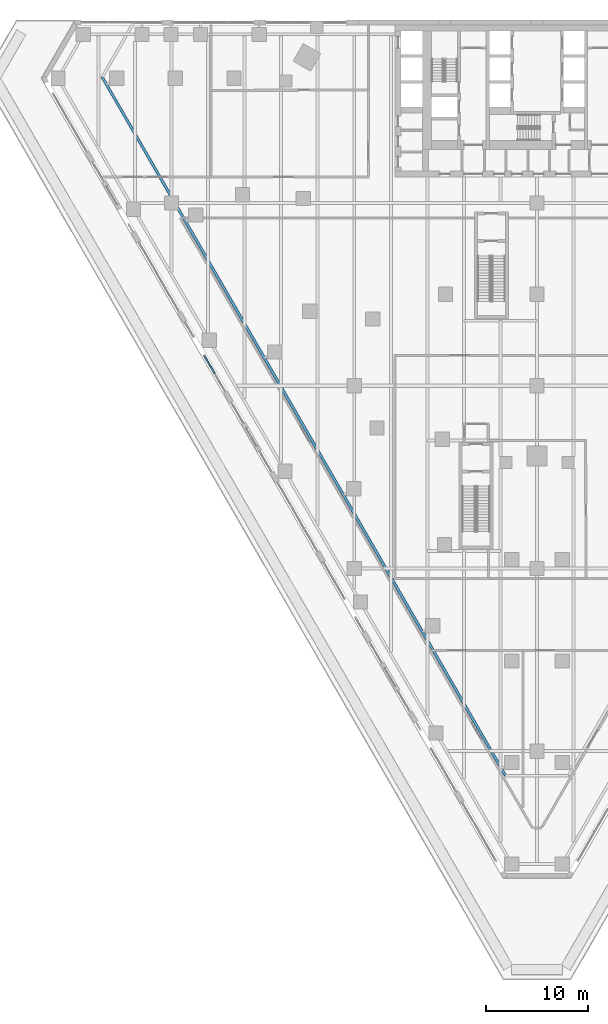
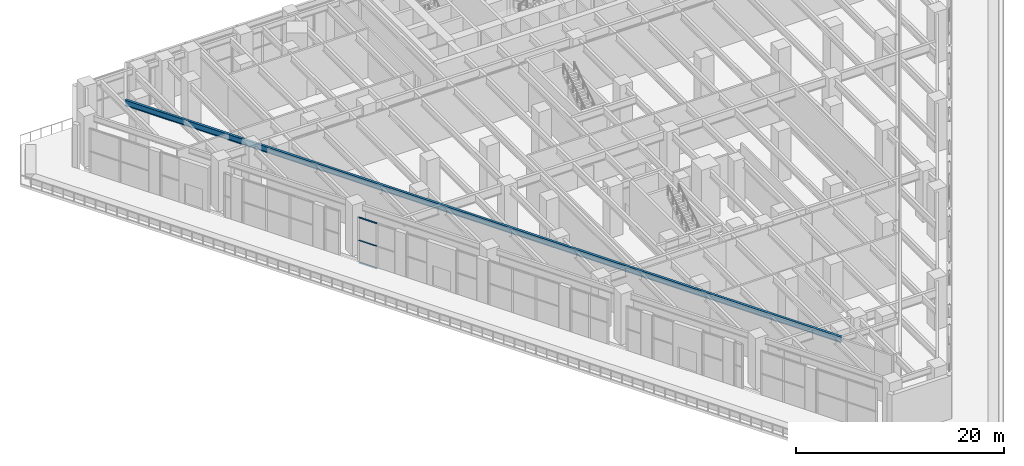
# One storey, part 5 of 40: 3 members, 1 beam, 1 element without a shape of its own.
"""IFC4 building model written with IfcOpenShell, lengths in metres."""

import ifcopenshell
import ifcopenshell.guid

model = None  # the IFC model being written
_history = None  # IfcOwnerHistory: only IFC2X3 demands one
_inside = {}  # id of a spatial element -> (the spatial element, [elements in it])
_under = {}  # id of a project, library or spatial element -> (it, [spatial elements below it])
_declared = {}  # id of a project -> (the project, [libraries it declares])
_typed = {}  # id of a type object -> (the type object, [elements of that type])
_made_of = {}  # id of a material, layer set ... -> (it, [elements and type objects made of it])


def new_model(schema):
    """Start an empty IFC model of exactly this schema.

    Asked for "IFC4X3", IfcOpenShell would pick the latest addendum, in which some entities
    have other attributes; the version numbers below select the first issue.
    IFC2X3 requires an IfcOwnerHistory on every rooted entity: one is made here for all.
    """
    global model, _history
    if schema == "IFC4X3":
        model = ifcopenshell.file(schema_version=(4, 3, 0, 0))
    else:
        model = ifcopenshell.file(schema=schema)
    _inside.clear()
    _under.clear()
    _declared.clear()
    _typed.clear()
    _made_of.clear()
    _history = None
    if model.schema == "IFC2X3":
        org = make("IfcOrganization", Name="unknown")
        user = make(
            "IfcPersonAndOrganization",
            ThePerson=make("IfcPerson", FamilyName="unknown"),
            TheOrganization=org,
        )
        app = make(
            "IfcApplication",
            ApplicationDeveloper=org,
            Version="unknown",
            ApplicationFullName="unknown",
            ApplicationIdentifier="unknown",
        )
        _history = make(
            "IfcOwnerHistory",
            OwningUser=user,
            OwningApplication=app,
            ChangeAction="ADDED",
            CreationDate=0,
        )
    return model


def make(cls, **values):
    """One entity of the class cls with the attributes given. An attribute that is None is left unset."""
    return model.create_entity(
        cls, **{name: value for name, value in values.items() if value is not None}
    )


def rooted(cls, **values):
    """An entity with a GlobalId (a new one), such as an element, a storey or a relation."""
    return make(cls, GlobalId=ifcopenshell.guid.new(), OwnerHistory=_history, **values)


def si_unit(unit_type, name, prefix=None):
    """IfcSIUnit, for example si_unit("LENGTHUNIT", "METRE", prefix="MILLI")."""
    return make("IfcSIUnit", UnitType=unit_type, Prefix=prefix, Name=name)


def assignment(units):
    """IfcUnitAssignment: the units of a project."""
    return None if units is None else make("IfcUnitAssignment", Units=units)


def point(xyz):
    """IfcCartesianPoint."""
    return None if xyz is None else make("IfcCartesianPoint", Coordinates=xyz)


def direction(xyz):
    """IfcDirection."""
    return None if xyz is None else make("IfcDirection", DirectionRatios=xyz)


def frame(location, z_axis=None, x_axis=None):
    """IfcAxis2Placement3D, a coordinate frame: its origin and axes. An axis left out is left unset."""
    return make(
        "IfcAxis2Placement3D",
        Location=point(location),
        Axis=direction(z_axis),
        RefDirection=direction(x_axis),
    )


def frame_2d(location, x_axis=None):
    """IfcAxis2Placement2D, a coordinate frame in the plane: its origin and x axis."""
    return make(
        "IfcAxis2Placement2D", Location=point(location), RefDirection=direction(x_axis)
    )


def origin():
    """The frame at (0, 0, 0) with its axes left unset."""
    return frame((0.0, 0.0, 0.0))


def origin_2d():
    """The frame at (0, 0) in the plane with its x axis left unset."""
    return frame_2d((0.0, 0.0))


def place(relative_to, where):
    """IfcLocalPlacement: puts the frame where relative to a parent placement (None: the world)."""
    return make(
        "IfcLocalPlacement", PlacementRelTo=relative_to, RelativePlacement=where
    )


def context(
    kind, dimensions, precision=None, world=None, true_north=None, identifier=None
):
    """IfcGeometricRepresentationContext, for example the 3D "Model" context."""
    return make(
        "IfcGeometricRepresentationContext",
        ContextIdentifier=identifier,
        ContextType=kind,
        CoordinateSpaceDimension=dimensions,
        Precision=precision,
        WorldCoordinateSystem=world,
        TrueNorth=true_north,
    )


def subcontext(parent, identifier, kind, view, scale=None):
    """IfcGeometricRepresentationSubContext, for example "Body" below "Model"."""
    return make(
        "IfcGeometricRepresentationSubContext",
        ContextIdentifier=identifier,
        ContextType=kind,
        ParentContext=parent,
        TargetScale=scale,
        TargetView=view,
    )


def project(units=None, contexts=None):
    """IfcProject with its units and contexts."""
    return rooted(
        "IfcProject",
        Name="project",
        RepresentationContexts=contexts,
        UnitsInContext=assignment(units),
    )


def spatial(cls, under=None, at=None, **own):
    """A site, building, storey or space (cls), placed at a placement, below another one or the project."""
    s = rooted(cls, ObjectPlacement=at, **own)
    if under is not None:
        _under.setdefault(under.id(), (under, []))[1].append(s)
    return s


def profile(cls, at=None, kind="AREA", **sizes):
    """A parametric profile (cls). Its sizes go by their IFC names, for example OverallWidth=200.0."""
    return make(cls, ProfileType=kind, Position=at, **sizes)


def rectangle(**sizes):
    """IfcRectangleProfileDef."""
    return profile("IfcRectangleProfileDef", **sizes)


def i_section(**sizes):
    """IfcIShapeProfileDef."""
    return profile("IfcIShapeProfileDef", **sizes)


def extrude(swept, where, along, depth):
    """IfcExtrudedAreaSolid: the profile swept, set in the frame where, extruded along a direction by depth."""
    return make(
        "IfcExtrudedAreaSolid",
        SweptArea=swept,
        Position=where,
        ExtrudedDirection=direction(along),
        Depth=depth,
    )


def shape(context_of_items, identifier, shape_type, items):
    """IfcShapeRepresentation: the items that make up one representation, for example the "Body"."""
    return make(
        "IfcShapeRepresentation",
        ContextOfItems=context_of_items,
        RepresentationIdentifier=identifier,
        RepresentationType=shape_type,
        Items=items,
    )


def material(Name=None, Category=None):
    """IfcMaterial."""
    return make("IfcMaterial", Name=Name, Category=Category)


def material_profile(
    of_material, cross_section, Name=None, Category=None, Priority=None
):
    """IfcMaterialProfile: a cross section and its material."""
    return make(
        "IfcMaterialProfile",
        Name=Name,
        Material=of_material,
        Profile=cross_section,
        Priority=Priority,
        Category=Category,
    )


def profile_set(profiles, Name=None, composite=None):
    """IfcMaterialProfileSet."""
    return make(
        "IfcMaterialProfileSet",
        Name=Name,
        MaterialProfiles=profiles,
        CompositeProfile=composite,
    )


def made_of(thing, what):
    """Note that an element or type object is made of a material, layer set ...; save() writes the relation."""
    if what is not None:
        _made_of.setdefault(what.id(), (what, []))[1].append(thing)
    return thing


def type_object(cls, material=None, **own):
    """A type object (cls), such as IfcWallType, which elements share."""
    return made_of(rooted(cls, **own), material)


def element(
    cls,
    number,
    at=None,
    inside=None,
    cuts=None,
    type_object=None,
    material=None,
    context=None,
    identifier="Body",
    shape_type=None,
    held_by="IfcProductDefinitionShape",
    body=None,
    shapes=None,
    **own,
):
    """One element of the class cls, such as IfcWall. Its Tag is "e" and its number.

    at: its placement. inside: the storey or other place that contains it. cuts: it is an
    opening in that element (IfcRelVoidsElement). A single representation is given by context,
    identifier, shape_type and body (its items); several are given by shapes. held_by: the class
    of the entity that holds the representations. save() writes the other relations.
    """
    e = rooted(cls, Tag="e%d" % number, ObjectPlacement=at, **own)
    if body is not None:
        shapes = [shape(context, identifier, shape_type, body)]
    if shapes is not None:
        e.Representation = make(held_by, Representations=shapes)
    if inside is not None:
        _inside.setdefault(inside.id(), (inside, []))[1].append(e)
    if cuts is not None:
        rooted(
            "IfcRelVoidsElement", RelatingBuildingElement=cuts, RelatedOpeningElement=e
        )
    if type_object is not None:
        _typed.setdefault(type_object.id(), (type_object, []))[1].append(e)
    return made_of(e, material)


def aggregate(whole, parts):
    """IfcRelAggregates: a whole, such as a stair, and the parts it consists of."""
    return rooted("IfcRelAggregates", RelatingObject=whole, RelatedObjects=parts)


def save(model, path):
    """Write the relations noted so far, then the file.

    IfcRelAggregates (storeys below a building ...), IfcRelContainedInSpatialStructure (elements
    in a storey), IfcRelDefinesByType, IfcRelAssociatesMaterial and IfcRelDeclares: one each for
    every whole, place, type object, material and project.
    """
    for whole, parts in _under.values():
        aggregate(whole, parts)
    for where, things in _inside.values():
        rooted(
            "IfcRelContainedInSpatialStructure",
            RelatedElements=things,
            RelatingStructure=where,
        )
    for kind, things in _typed.values():
        rooted("IfcRelDefinesByType", RelatedObjects=things, RelatingType=kind)
    for what, things in _made_of.values():
        rooted("IfcRelAssociatesMaterial", RelatedObjects=things, RelatingMaterial=what)
    for by, libraries in _declared.values():
        rooted("IfcRelDeclares", RelatingContext=by, RelatedDefinitions=libraries)
    model.write(path)


model = new_model("IFC4")

# Units and contexts
model_context = context("Model", 3, precision=1e-05, world=origin(), true_north=direction((0.0, 1.0)))
body_context = subcontext(model_context, "Body", "Model", "MODEL_VIEW")
ifc_project = project(units=[si_unit("LENGTHUNIT", "METRE"), si_unit("AREAUNIT", "SQUARE_METRE"), si_unit("VOLUMEUNIT", "CUBIC_METRE"), si_unit("PLANEANGLEUNIT", "RADIAN"), si_unit("MASSUNIT", "GRAM", prefix="KILO")], contexts=[model_context])

# Site, building, storey
site_placement = place(None, origin())
site = spatial("IfcSite", under=ifc_project, at=site_placement, CompositionType="ELEMENT")
building_placement = place(site_placement, origin())
building = spatial("IfcBuilding", under=site, at=building_placement, Name="Aloe Facet Convention Tower", CompositionType="ELEMENT")
storey_placement = place(building_placement, frame((0.0, 0.0, 13.5)))
storey = spatial("IfcBuildingStorey", under=building, at=storey_placement, Name="L02", CompositionType="ELEMENT", Elevation=13.5)

# Beam
ifc_material_1 = material(Name="Steel S355", Category="steel")
ifc_material_profile_1 = material_profile(ifc_material_1, i_section(OverallWidth=0.25439453125, OverallDepth=0.6875, WebThickness=0.01318359375, FlangeThickness=0.02099609375, FilletRadius=0.01513671875, at=origin_2d()), Name="UB 686x254x152")
ifc_profile_set_1 = profile_set([ifc_material_profile_1], Name="Steel S355")
beam_type = type_object("IfcBeamType", Name="EV-EB-UB686x254x152", PredefinedType="BEAM", material=ifc_profile_set_1)
beam_placement = place(storey_placement, frame((37.17431640625, 129.396728515625, 5.40625), z_axis=(0.500002313088, -0.866024068318, 0.0), x_axis=(0.866024068318, 0.500002313088, 0.0)))
element("IfcBeam", 1, at=beam_placement, inside=storey, type_object=beam_type, Name="EB-L03-W", PredefinedType="BEAM", context=body_context, shape_type="SweptSolid", body=[
    extrude(i_section(OverallWidth=0.25439453125, OverallDepth=0.6875, WebThickness=0.01318359375, FlangeThickness=0.02099609375, FilletRadius=0.01513671875, at=origin_2d()), origin(), (0.0, 0.0, 1.0), 79.44091796875),
])

# Curtain wall, members
ifc_material_2 = material(Name="Aluminium, anodised", Category="aluminium")
curtain_wall_type = type_object("IfcCurtainWallType", Name="EV-CW-HALL", PredefinedType="USERDEFINED", material=ifc_material_2)
curtain_wall_placement = place(storey_placement, origin())
curtain_wall = element("IfcCurtainWall", 2, at=curtain_wall_placement, inside=storey, type_object=curtain_wall_type, Name="CW-L02-W08-2", ObjectType="UNITISED HALL GLAZING", PredefinedType="USERDEFINED")
ifc_material_3 = material(Name="Aluminium, anodised", Category="aluminium")
ifc_material_profile_2 = material_profile(ifc_material_3, rectangle(XDim=0.159912109375, YDim=0.06494140625, at=origin_2d()), Name="AL 160x65")
ifc_profile_set_2 = profile_set([ifc_material_profile_2], Name="Aluminium, anodised")
member_type = type_object("IfcMemberType", Name="EV-TRAN-HALL", PredefinedType="USERDEFINED", material=ifc_profile_set_2)
member_1_placement = place(storey_placement, frame((47.2451171875, 101.953857421875, -0.267578125), z_axis=(0.499942098031, -0.866058830921, 0.0), x_axis=(0.866058830921, 0.499942098031, 0.0)))
member_1 = element("IfcMember", 3, at=member_1_placement, type_object=member_type, Name="CW-L02-W08-2 transom 1.1", ObjectType="TRANSOM", PredefinedType="USERDEFINED", context=body_context, shape_type="SweptSolid", body=[
    extrude(rectangle(XDim=0.159912109375, YDim=0.06494140625, at=origin_2d()), origin(), (0.0, 0.0, 1.0), 1.988525390625),
])
member_2_placement = place(storey_placement, frame((47.2451171875, 101.953857421875, 2.38134765625), z_axis=(0.499942098031, -0.866058830921, 0.0), x_axis=(0.866058830921, 0.499942098031, 0.0)))
member_2 = element("IfcMember", 4, at=member_2_placement, type_object=member_type, Name="CW-L02-W08-2 transom 1.2", ObjectType="TRANSOM", PredefinedType="USERDEFINED", context=body_context, shape_type="SweptSolid", body=[
    extrude(rectangle(XDim=0.159912109375, YDim=0.06494140625, at=origin_2d()), origin(), (0.0, 0.0, 1.0), 1.988525390625),
])
member_3_placement = place(storey_placement, frame((47.2451171875, 101.953857421875, 5.030029296875), z_axis=(0.499942098031, -0.866058830921, 0.0), x_axis=(0.866058830921, 0.499942098031, 0.0)))
member_3 = element("IfcMember", 5, at=member_3_placement, type_object=member_type, Name="CW-L02-W08-2 transom 1.3", ObjectType="TRANSOM", PredefinedType="USERDEFINED", context=body_context, shape_type="SweptSolid", body=[
    extrude(rectangle(XDim=0.159912109375, YDim=0.06494140625, at=origin_2d()), origin(), (0.0, 0.0, 1.0), 1.988525390625),
])
aggregate(curtain_wall, [member_1, member_2, member_3])

save(model, "model.ifc")
